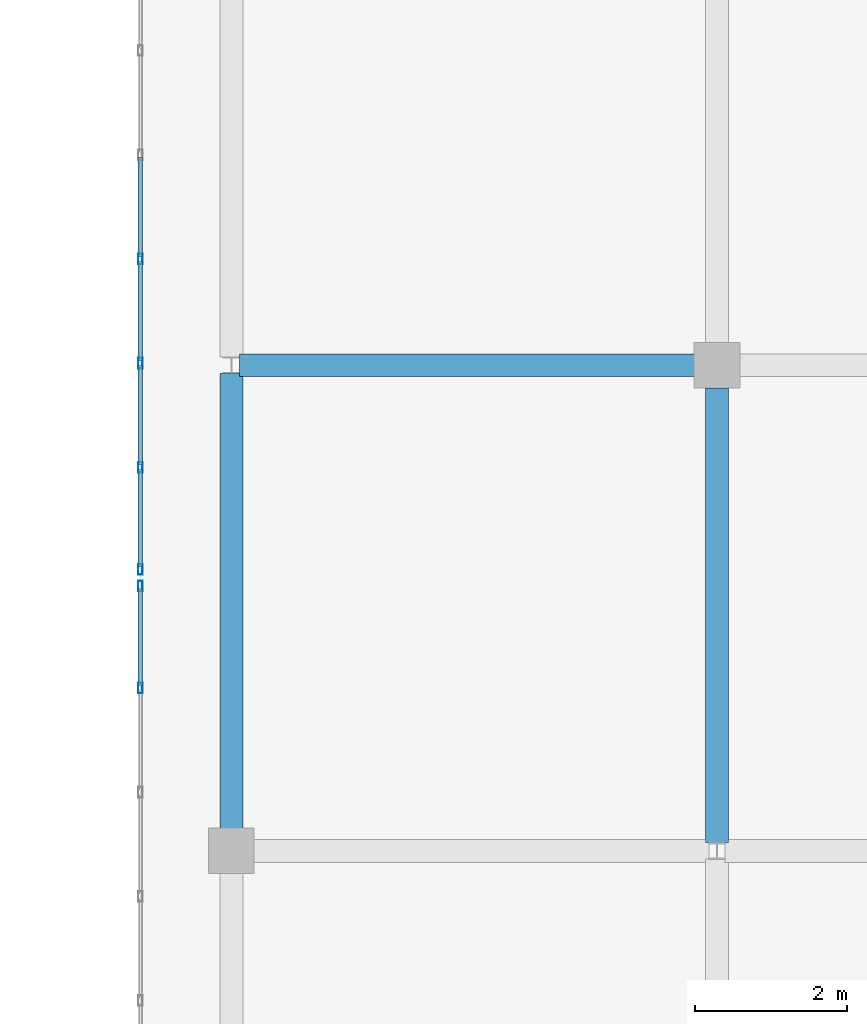
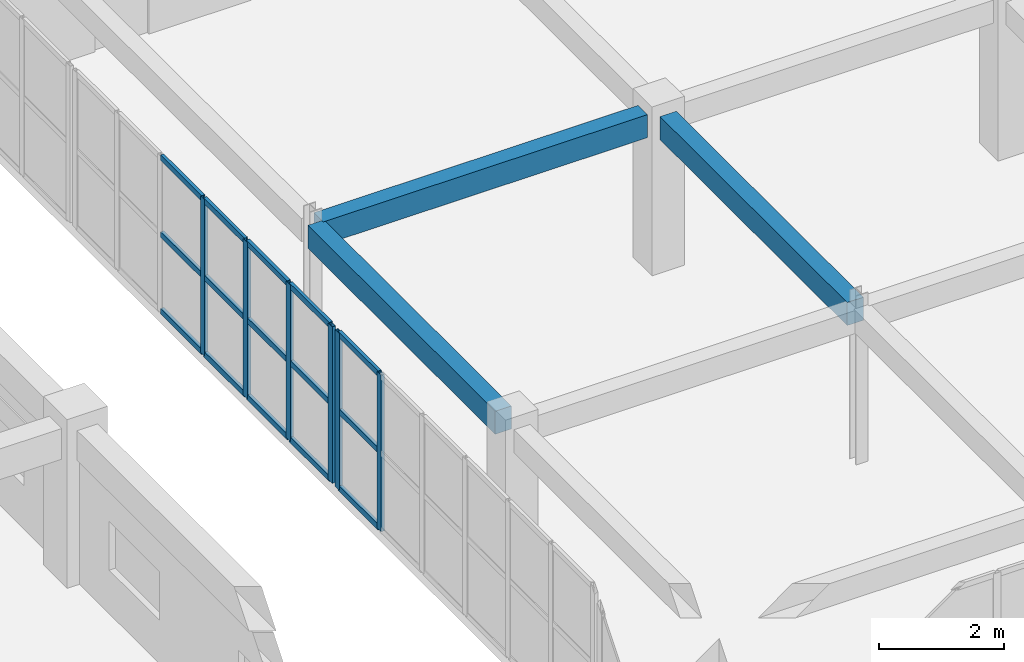
# One storey, part 37 of 200: 21 members, 3 beams, 2 elements without a shape of their own.
"""IFC4 building model written with IfcOpenShell, lengths in metres."""

from ifc_helpers import new_model, si_unit, direction, frame, origin, origin_2d, place, context, subcontext, project, spatial, rectangle, hollow_rectangle, extrude, material, layer, layer_set, material_profile, profile_set, type_object, element, aggregate, save


model = new_model("IFC4")

# Units and contexts
model_context = context("Model", 3, precision=1e-05, world=origin(), true_north=direction((0.0, 1.0)))
body_context = subcontext(model_context, "Body", "Model", "MODEL_VIEW")
ifc_project = project(units=[si_unit("LENGTHUNIT", "METRE"), si_unit("AREAUNIT", "SQUARE_METRE"), si_unit("VOLUMEUNIT", "CUBIC_METRE"), si_unit("PLANEANGLEUNIT", "RADIAN"), si_unit("MASSUNIT", "GRAM", prefix="KILO")], contexts=[model_context])

# Site, building, storey
site_placement = place(None, origin())
site = spatial("IfcSite", under=ifc_project, at=site_placement, CompositionType="ELEMENT")
building_placement = place(site_placement, origin())
building = spatial("IfcBuilding", under=site, at=building_placement, Name="Trelvath General Hospital", CompositionType="ELEMENT")
storey_placement = place(building_placement, frame((0.0, 0.0, 4.800048828125)))
storey = spatial("IfcBuildingStorey", under=building, at=storey_placement, Name="L01", CompositionType="ELEMENT", Elevation=4.800048828125)

# Beams
ifc_material_1 = material(Name="Concrete C35/45", Category="concrete")
ifc_material_profile_1 = material_profile(ifc_material_1, rectangle(XDim=0.300048828125, YDim=0.449951171875, at=origin_2d()), Name="RCB300x450")
ifc_profile_set_1 = profile_set([ifc_material_profile_1], Name="Concrete C35/45")
beam_type = type_object("IfcBeamType", Name="Beam RC300x450", PredefinedType="BEAM", material=ifc_profile_set_1)
for number, where, z_axis, x_axis, name in (
    (1, (48.10595703125, 44.800048828125, 2.8349609375), (1.0, 0.0, 0.0), (0.0, 1.0, 0.0), "Cube Interior Ring Beam CUBE-W-T0 L01"),
    (2, (48.0, 38.696044921875, 2.8349609375), (0.0, 1.0, 0.0), (-1.0, 0.0, 0.0), "Cube Interior Ring Beam CUBE-W-T0 L01"),
):
    element("IfcBeam", number, at=place(storey_placement, frame(where, z_axis=z_axis, x_axis=x_axis)), inside=storey, type_object=beam_type, Name=name, PredefinedType="BEAM", context=body_context, shape_type="SweptSolid", body=[
        extrude(rectangle(XDim=0.300048828125, YDim=0.449951171875, at=origin_2d()), origin(), (0.0, 0.0, 1.0), 5.998046875),
    ])
beam_placement = place(storey_placement, frame((54.39990234375, 38.506103515625, 2.8349609375), z_axis=(0.0, 1.0, 0.0), x_axis=(-1.0, 0.0, 0.0)))
element("IfcBeam", 3, at=beam_placement, inside=storey, type_object=beam_type, Name="Cube Interior Ring Beam CUBE-W-T0 L01", PredefinedType="BEAM", context=body_context, shape_type="SweptSolid", body=[
    extrude(rectangle(XDim=0.300048828125, YDim=0.449951171875, at=origin_2d()), origin(), (0.0, 0.0, 1.0), 5.997802734375),
])

# Curtain wall, members
ifc_material_2 = material(Name="Anodised aluminium and low-E glass", Category="aluminium")
ifc_layer = layer(ifc_material_2, 0.14990234375)
ifc_layer_set = layer_set([ifc_layer], Name="Anodised aluminium and low-E glass")
curtain_wall_type = type_object("IfcCurtainWallType", Name="CW CrystalCube 824 306 15", PredefinedType="USERDEFINED", material=ifc_layer_set)
curtain_wall_1_placement = place(storey_placement, origin())
curtain_wall_1 = element("IfcCurtainWall", 4, at=curtain_wall_1_placement, inside=storey, type_object=curtain_wall_type, Name="Crystal Cube Curtain Wall CUBE-W-T0 W2 L01", ObjectType="Unitised Glazed Curtain Wall", PredefinedType="USERDEFINED")
ifc_material_3 = material(Name="Anodised aluminium", Category="aluminium")
ifc_material_profile_2 = material_profile(ifc_material_3, hollow_rectangle(XDim=0.06005859375, YDim=0.139892578125, WallThickness=0.00390625, at=origin_2d()), Name="RHS60x140x4")
ifc_profile_set_2 = profile_set([ifc_material_profile_2], Name="Anodised aluminium")
member_type_1 = type_object("IfcMemberType", Name="CurtainMullion 60x140", PredefinedType="MULLION", material=ifc_profile_set_2)
member_1_placement = place(storey_placement, frame((46.800048828125, 40.546630859375, 0.0), z_axis=(0.0, 0.0, 1.0), x_axis=(-1.0, 0.0, 0.0)))
member_1 = element("IfcMember", 5, at=member_1_placement, type_object=member_type_1, Name="CW-140 mullion 6", PredefinedType="MULLION", context=body_context, shape_type="SweptSolid", body=[
    extrude(hollow_rectangle(XDim=0.06005859375, YDim=0.139892578125, WallThickness=0.00390625, at=origin_2d()), origin(), (0.0, 0.0, 1.0), 3.06005859375),
])
member_2_placement = place(storey_placement, frame((46.800048828125, 41.889892578125, 0.0), z_axis=(0.0, 0.0, 1.0), x_axis=(-1.0, 0.0, 0.0)))
member_2 = element("IfcMember", 6, at=member_2_placement, type_object=member_type_1, Name="CW-140 mullion 7", PredefinedType="MULLION", context=body_context, shape_type="SweptSolid", body=[
    extrude(hollow_rectangle(XDim=0.06005859375, YDim=0.139892578125, WallThickness=0.00390625, at=origin_2d()), origin(), (0.0, 0.0, 1.0), 3.06005859375),
])

curtain_wall_2_placement = place(storey_placement, origin())
curtain_wall_2 = element("IfcCurtainWall", 7, at=curtain_wall_2_placement, inside=storey, type_object=curtain_wall_type, Name="Crystal Cube Curtain Wall CUBE-W-T0 W3 L01", ObjectType="Unitised Glazed Curtain Wall", PredefinedType="USERDEFINED")
member_3_placement = place(storey_placement, frame((46.800048828125, 42.110107421875, 0.0), z_axis=(0.0, 0.0, 1.0), x_axis=(-1.0, 0.0, 0.0)))
member_3 = element("IfcMember", 8, at=member_3_placement, type_object=member_type_1, Name="CW-142 mullion 1", PredefinedType="MULLION", context=body_context, shape_type="SweptSolid", body=[
    extrude(hollow_rectangle(XDim=0.06005859375, YDim=0.139892578125, WallThickness=0.00390625, at=origin_2d()), origin(), (0.0, 0.0, 1.0), 3.06005859375),
])
member_4_placement = place(storey_placement, frame((46.800048828125, 43.453369140625, 0.0), z_axis=(0.0, 0.0, 1.0), x_axis=(-1.0, 0.0, 0.0)))
member_4 = element("IfcMember", 9, at=member_4_placement, type_object=member_type_1, Name="CW-142 mullion 2", PredefinedType="MULLION", context=body_context, shape_type="SweptSolid", body=[
    extrude(hollow_rectangle(XDim=0.06005859375, YDim=0.139892578125, WallThickness=0.00390625, at=origin_2d()), origin(), (0.0, 0.0, 1.0), 3.06005859375),
])
member_5_placement = place(storey_placement, frame((46.800048828125, 44.82666015625, 0.0), z_axis=(0.0, 0.0, 1.0), x_axis=(-1.0, 0.0, 0.0)))
member_5 = element("IfcMember", 10, at=member_5_placement, type_object=member_type_1, Name="CW-142 mullion 3", PredefinedType="MULLION", context=body_context, shape_type="SweptSolid", body=[
    extrude(hollow_rectangle(XDim=0.06005859375, YDim=0.139892578125, WallThickness=0.00390625, at=origin_2d()), origin(), (0.0, 0.0, 1.0), 3.06005859375),
])
member_6_placement = place(storey_placement, frame((46.800048828125, 46.199951171875, 0.0), z_axis=(0.0, 0.0, 1.0), x_axis=(-1.0, 0.0, 0.0)))
member_6 = element("IfcMember", 11, at=member_6_placement, type_object=member_type_1, Name="CW-142 mullion 4", PredefinedType="MULLION", context=body_context, shape_type="SweptSolid", body=[
    extrude(hollow_rectangle(XDim=0.06005859375, YDim=0.139892578125, WallThickness=0.00390625, at=origin_2d()), origin(), (0.0, 0.0, 1.0), 3.06005859375),
])

# Member
ifc_material_4 = material(Name="Anodised aluminium", Category="aluminium")
ifc_material_profile_3 = material_profile(ifc_material_4, hollow_rectangle(XDim=0.06005859375, YDim=0.110107421875, WallThickness=0.00390625, at=origin_2d()), Name="RHS60x110x4")
ifc_profile_set_3 = profile_set([ifc_material_profile_3], Name="Anodised aluminium")
member_type_2 = type_object("IfcMemberType", Name="CurtainTransom 60x110", PredefinedType="USERDEFINED", material=ifc_profile_set_3)
member_7_placement = place(storey_placement, frame((46.800048828125, 40.57666015625, 0.030029296875), z_axis=(0.0, 1.0, 0.0), x_axis=(-1.0, 0.0, 0.0)))
member_7 = element("IfcMember", 12, at=member_7_placement, type_object=member_type_2, Name="CW-140 transom 6.1", ObjectType="TRANSOM", PredefinedType="USERDEFINED", context=body_context, shape_type="SweptSolid", body=[
    extrude(hollow_rectangle(XDim=0.06005859375, YDim=0.110107421875, WallThickness=0.00390625, at=origin_2d()), origin(), (0.0, 0.0, 1.0), 1.283447265625),
])

member_8_placement = place(storey_placement, frame((46.800048828125, 40.57666015625, 1.530029296875), z_axis=(0.0, 1.0, 0.0), x_axis=(-1.0, 0.0, 0.0)))
member_8 = element("IfcMember", 13, at=member_8_placement, type_object=member_type_2, Name="CW-140 transom 6.2", ObjectType="TRANSOM", PredefinedType="USERDEFINED", context=body_context, shape_type="SweptSolid", body=[
    extrude(hollow_rectangle(XDim=0.06005859375, YDim=0.110107421875, WallThickness=0.00390625, at=origin_2d()), origin(), (0.0, 0.0, 1.0), 1.283447265625),
])

member_9_placement = place(storey_placement, frame((46.800048828125, 40.57666015625, 3.030029296875), z_axis=(0.0, 1.0, 0.0), x_axis=(-1.0, 0.0, 0.0)))
member_9 = element("IfcMember", 14, at=member_9_placement, type_object=member_type_2, Name="CW-140 transom 6.3", ObjectType="TRANSOM", PredefinedType="USERDEFINED", context=body_context, shape_type="SweptSolid", body=[
    extrude(hollow_rectangle(XDim=0.06005859375, YDim=0.110107421875, WallThickness=0.00390625, at=origin_2d()), origin(), (0.0, 0.0, 1.0), 1.283447265625),
])

aggregate(curtain_wall_1, [member_1, member_2, member_7, member_8, member_9])

member_10_placement = place(storey_placement, frame((46.800048828125, 42.139892578125, 0.030029296875), z_axis=(0.0, 1.0, 0.0), x_axis=(-1.0, 0.0, 0.0)))
member_10 = element("IfcMember", 15, at=member_10_placement, type_object=member_type_2, Name="CW-142 transom 1.1", ObjectType="TRANSOM", PredefinedType="USERDEFINED", context=body_context, shape_type="SweptSolid", body=[
    extrude(hollow_rectangle(XDim=0.06005859375, YDim=0.110107421875, WallThickness=0.00390625, at=origin_2d()), origin(), (0.0, 0.0, 1.0), 1.283447265625),
])

member_11_placement = place(storey_placement, frame((46.800048828125, 42.139892578125, 1.530029296875), z_axis=(0.0, 1.0, 0.0), x_axis=(-1.0, 0.0, 0.0)))
member_11 = element("IfcMember", 16, at=member_11_placement, type_object=member_type_2, Name="CW-142 transom 1.2", ObjectType="TRANSOM", PredefinedType="USERDEFINED", context=body_context, shape_type="SweptSolid", body=[
    extrude(hollow_rectangle(XDim=0.06005859375, YDim=0.110107421875, WallThickness=0.00390625, at=origin_2d()), origin(), (0.0, 0.0, 1.0), 1.283447265625),
])

member_12_placement = place(storey_placement, frame((46.800048828125, 42.139892578125, 3.030029296875), z_axis=(0.0, 1.0, 0.0), x_axis=(-1.0, 0.0, 0.0)))
member_12 = element("IfcMember", 17, at=member_12_placement, type_object=member_type_2, Name="CW-142 transom 1.3", ObjectType="TRANSOM", PredefinedType="USERDEFINED", context=body_context, shape_type="SweptSolid", body=[
    extrude(hollow_rectangle(XDim=0.06005859375, YDim=0.110107421875, WallThickness=0.00390625, at=origin_2d()), origin(), (0.0, 0.0, 1.0), 1.283447265625),
])

member_13_placement = place(storey_placement, frame((46.800048828125, 43.4833984375, 0.030029296875), z_axis=(0.0, 1.0, 0.0), x_axis=(-1.0, 0.0, 0.0)))
member_13 = element("IfcMember", 18, at=member_13_placement, type_object=member_type_2, Name="CW-142 transom 2.1", ObjectType="TRANSOM", PredefinedType="USERDEFINED", context=body_context, shape_type="SweptSolid", body=[
    extrude(hollow_rectangle(XDim=0.06005859375, YDim=0.110107421875, WallThickness=0.00390625, at=origin_2d()), origin(), (0.0, 0.0, 1.0), 1.313232421875),
])

member_14_placement = place(storey_placement, frame((46.800048828125, 43.4833984375, 1.530029296875), z_axis=(0.0, 1.0, 0.0), x_axis=(-1.0, 0.0, 0.0)))
member_14 = element("IfcMember", 19, at=member_14_placement, type_object=member_type_2, Name="CW-142 transom 2.2", ObjectType="TRANSOM", PredefinedType="USERDEFINED", context=body_context, shape_type="SweptSolid", body=[
    extrude(hollow_rectangle(XDim=0.06005859375, YDim=0.110107421875, WallThickness=0.00390625, at=origin_2d()), origin(), (0.0, 0.0, 1.0), 1.313232421875),
])

member_15_placement = place(storey_placement, frame((46.800048828125, 43.4833984375, 3.030029296875), z_axis=(0.0, 1.0, 0.0), x_axis=(-1.0, 0.0, 0.0)))
member_15 = element("IfcMember", 20, at=member_15_placement, type_object=member_type_2, Name="CW-142 transom 2.3", ObjectType="TRANSOM", PredefinedType="USERDEFINED", context=body_context, shape_type="SweptSolid", body=[
    extrude(hollow_rectangle(XDim=0.06005859375, YDim=0.110107421875, WallThickness=0.00390625, at=origin_2d()), origin(), (0.0, 0.0, 1.0), 1.313232421875),
])

member_16_placement = place(storey_placement, frame((46.800048828125, 44.856689453125, 0.030029296875), z_axis=(0.0, 1.0, 0.0), x_axis=(-1.0, 0.0, 0.0)))
member_16 = element("IfcMember", 21, at=member_16_placement, type_object=member_type_2, Name="CW-142 transom 3.1", ObjectType="TRANSOM", PredefinedType="USERDEFINED", context=body_context, shape_type="SweptSolid", body=[
    extrude(hollow_rectangle(XDim=0.06005859375, YDim=0.110107421875, WallThickness=0.00390625, at=origin_2d()), origin(), (0.0, 0.0, 1.0), 1.313232421875),
])

member_17_placement = place(storey_placement, frame((46.800048828125, 44.856689453125, 1.530029296875), z_axis=(0.0, 1.0, 0.0), x_axis=(-1.0, 0.0, 0.0)))
member_17 = element("IfcMember", 22, at=member_17_placement, type_object=member_type_2, Name="CW-142 transom 3.2", ObjectType="TRANSOM", PredefinedType="USERDEFINED", context=body_context, shape_type="SweptSolid", body=[
    extrude(hollow_rectangle(XDim=0.06005859375, YDim=0.110107421875, WallThickness=0.00390625, at=origin_2d()), origin(), (0.0, 0.0, 1.0), 1.313232421875),
])

member_18_placement = place(storey_placement, frame((46.800048828125, 44.856689453125, 3.030029296875), z_axis=(0.0, 1.0, 0.0), x_axis=(-1.0, 0.0, 0.0)))
member_18 = element("IfcMember", 23, at=member_18_placement, type_object=member_type_2, Name="CW-142 transom 3.3", ObjectType="TRANSOM", PredefinedType="USERDEFINED", context=body_context, shape_type="SweptSolid", body=[
    extrude(hollow_rectangle(XDim=0.06005859375, YDim=0.110107421875, WallThickness=0.00390625, at=origin_2d()), origin(), (0.0, 0.0, 1.0), 1.313232421875),
])

member_19_placement = place(storey_placement, frame((46.800048828125, 46.22998046875, 0.030029296875), z_axis=(0.0, 1.0, 0.0), x_axis=(-1.0, 0.0, 0.0)))
member_19 = element("IfcMember", 24, at=member_19_placement, type_object=member_type_2, Name="CW-142 transom 4.1", ObjectType="TRANSOM", PredefinedType="USERDEFINED", context=body_context, shape_type="SweptSolid", body=[
    extrude(hollow_rectangle(XDim=0.06005859375, YDim=0.110107421875, WallThickness=0.00390625, at=origin_2d()), origin(), (0.0, 0.0, 1.0), 1.313232421875),
])

member_20_placement = place(storey_placement, frame((46.800048828125, 46.22998046875, 1.530029296875), z_axis=(0.0, 1.0, 0.0), x_axis=(-1.0, 0.0, 0.0)))
member_20 = element("IfcMember", 25, at=member_20_placement, type_object=member_type_2, Name="CW-142 transom 4.2", ObjectType="TRANSOM", PredefinedType="USERDEFINED", context=body_context, shape_type="SweptSolid", body=[
    extrude(hollow_rectangle(XDim=0.06005859375, YDim=0.110107421875, WallThickness=0.00390625, at=origin_2d()), origin(), (0.0, 0.0, 1.0), 1.313232421875),
])

member_21_placement = place(storey_placement, frame((46.800048828125, 46.22998046875, 3.030029296875), z_axis=(0.0, 1.0, 0.0), x_axis=(-1.0, 0.0, 0.0)))
member_21 = element("IfcMember", 26, at=member_21_placement, type_object=member_type_2, Name="CW-142 transom 4.3", ObjectType="TRANSOM", PredefinedType="USERDEFINED", context=body_context, shape_type="SweptSolid", body=[
    extrude(hollow_rectangle(XDim=0.06005859375, YDim=0.110107421875, WallThickness=0.00390625, at=origin_2d()), origin(), (0.0, 0.0, 1.0), 1.313232421875),
])

aggregate(curtain_wall_2, [member_3, member_4, member_5, member_6, member_10, member_11, member_12, member_13, member_14, member_15, member_16, member_17, member_18, member_19, member_20, member_21])

save(model, "model.ifc")
